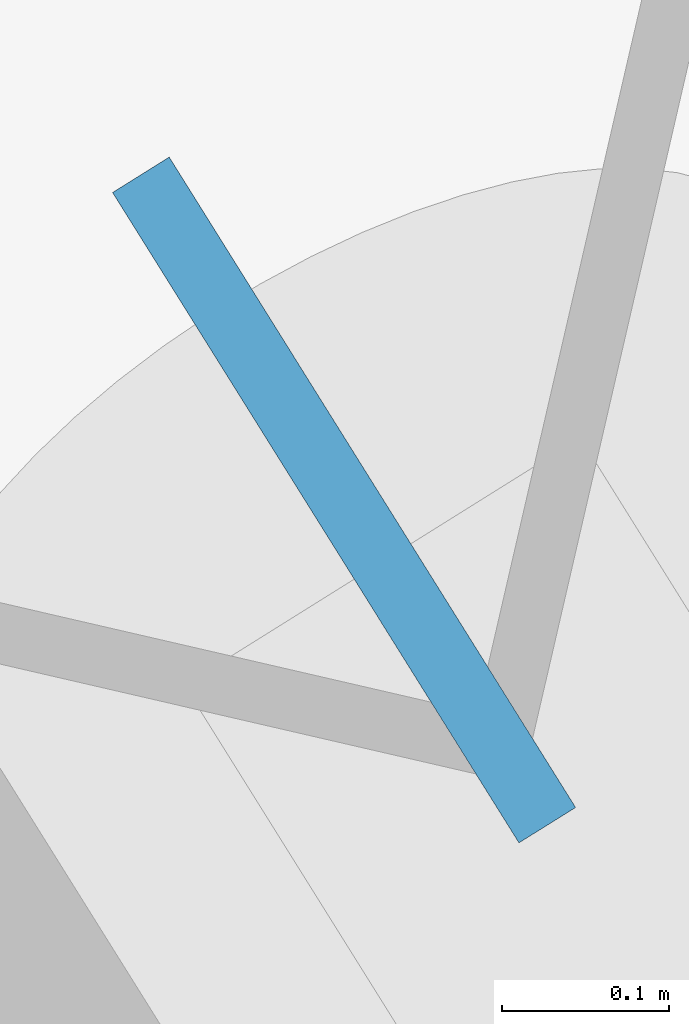
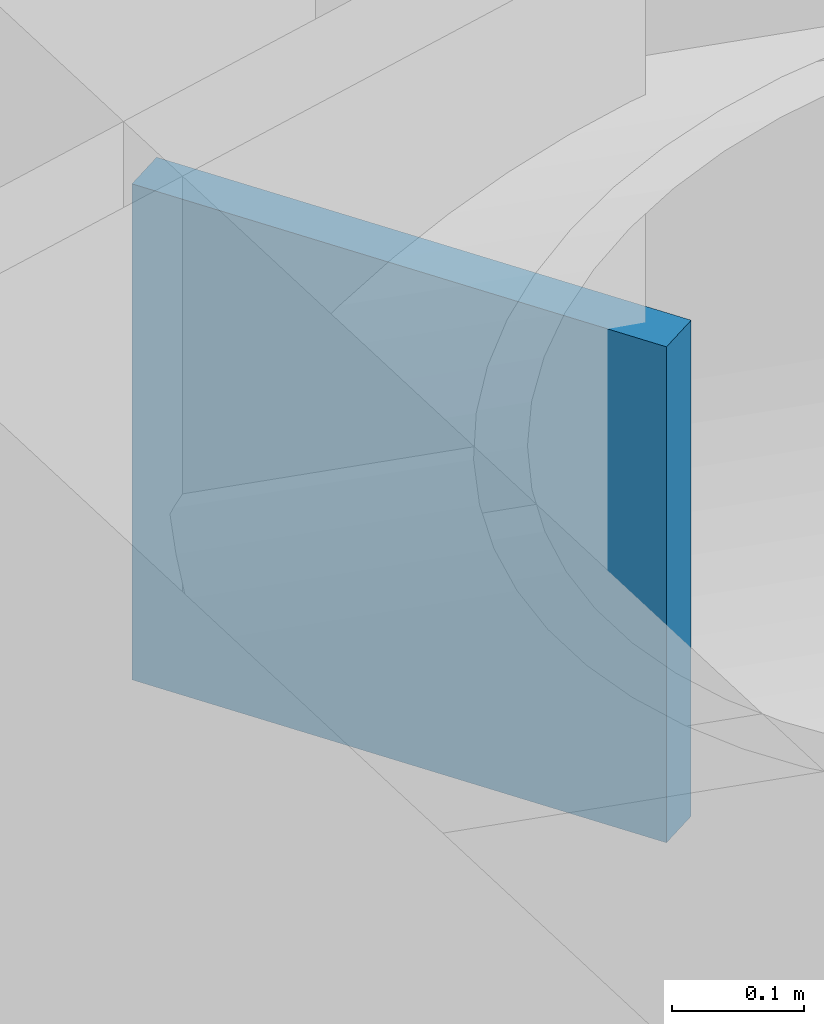
# One storey, part 18 of 20: 1 discrete accessory.
"""IFC4 building model written with IfcOpenShell, lengths in metres."""

import ifcopenshell
import ifcopenshell.guid

model = None  # the IFC model being written
_history = None  # IfcOwnerHistory: only IFC2X3 demands one
_inside = {}  # id of a spatial element -> (the spatial element, [elements in it])
_under = {}  # id of a project, library or spatial element -> (it, [spatial elements below it])
_declared = {}  # id of a project -> (the project, [libraries it declares])
_typed = {}  # id of a type object -> (the type object, [elements of that type])
_made_of = {}  # id of a material, layer set ... -> (it, [elements and type objects made of it])


def new_model(schema):
    """Start an empty IFC model of exactly this schema.

    Asked for "IFC4X3", IfcOpenShell would pick the latest addendum, in which some entities
    have other attributes; the version numbers below select the first issue.
    IFC2X3 requires an IfcOwnerHistory on every rooted entity: one is made here for all.
    """
    global model, _history
    if schema == "IFC4X3":
        model = ifcopenshell.file(schema_version=(4, 3, 0, 0))
    else:
        model = ifcopenshell.file(schema=schema)
    _inside.clear()
    _under.clear()
    _declared.clear()
    _typed.clear()
    _made_of.clear()
    _history = None
    if model.schema == "IFC2X3":
        org = make("IfcOrganization", Name="unknown")
        user = make(
            "IfcPersonAndOrganization",
            ThePerson=make("IfcPerson", FamilyName="unknown"),
            TheOrganization=org,
        )
        app = make(
            "IfcApplication",
            ApplicationDeveloper=org,
            Version="unknown",
            ApplicationFullName="unknown",
            ApplicationIdentifier="unknown",
        )
        _history = make(
            "IfcOwnerHistory",
            OwningUser=user,
            OwningApplication=app,
            ChangeAction="ADDED",
            CreationDate=0,
        )
    return model


def make(cls, **values):
    """One entity of the class cls with the attributes given. An attribute that is None is left unset."""
    return model.create_entity(
        cls, **{name: value for name, value in values.items() if value is not None}
    )


def rooted(cls, **values):
    """An entity with a GlobalId (a new one), such as an element, a storey or a relation."""
    return make(cls, GlobalId=ifcopenshell.guid.new(), OwnerHistory=_history, **values)


def si_unit(unit_type, name, prefix=None):
    """IfcSIUnit, for example si_unit("LENGTHUNIT", "METRE", prefix="MILLI")."""
    return make("IfcSIUnit", UnitType=unit_type, Prefix=prefix, Name=name)


def assignment(units):
    """IfcUnitAssignment: the units of a project."""
    return None if units is None else make("IfcUnitAssignment", Units=units)


def point(xyz):
    """IfcCartesianPoint."""
    return None if xyz is None else make("IfcCartesianPoint", Coordinates=xyz)


def direction(xyz):
    """IfcDirection."""
    return None if xyz is None else make("IfcDirection", DirectionRatios=xyz)


def frame(location, z_axis=None, x_axis=None):
    """IfcAxis2Placement3D, a coordinate frame: its origin and axes. An axis left out is left unset."""
    return make(
        "IfcAxis2Placement3D",
        Location=point(location),
        Axis=direction(z_axis),
        RefDirection=direction(x_axis),
    )


def frame_2d(location, x_axis=None):
    """IfcAxis2Placement2D, a coordinate frame in the plane: its origin and x axis."""
    return make(
        "IfcAxis2Placement2D", Location=point(location), RefDirection=direction(x_axis)
    )


def origin():
    """The frame at (0, 0, 0) with its axes left unset."""
    return frame((0.0, 0.0, 0.0))


def origin_2d():
    """The frame at (0, 0) in the plane with its x axis left unset."""
    return frame_2d((0.0, 0.0))


def place(relative_to, where):
    """IfcLocalPlacement: puts the frame where relative to a parent placement (None: the world)."""
    return make(
        "IfcLocalPlacement", PlacementRelTo=relative_to, RelativePlacement=where
    )


def context(
    kind, dimensions, precision=None, world=None, true_north=None, identifier=None
):
    """IfcGeometricRepresentationContext, for example the 3D "Model" context."""
    return make(
        "IfcGeometricRepresentationContext",
        ContextIdentifier=identifier,
        ContextType=kind,
        CoordinateSpaceDimension=dimensions,
        Precision=precision,
        WorldCoordinateSystem=world,
        TrueNorth=true_north,
    )


def subcontext(parent, identifier, kind, view, scale=None):
    """IfcGeometricRepresentationSubContext, for example "Body" below "Model"."""
    return make(
        "IfcGeometricRepresentationSubContext",
        ContextIdentifier=identifier,
        ContextType=kind,
        ParentContext=parent,
        TargetScale=scale,
        TargetView=view,
    )


def project(units=None, contexts=None):
    """IfcProject with its units and contexts."""
    return rooted(
        "IfcProject",
        Name="project",
        RepresentationContexts=contexts,
        UnitsInContext=assignment(units),
    )


def spatial(cls, under=None, at=None, **own):
    """A site, building, storey or space (cls), placed at a placement, below another one or the project."""
    s = rooted(cls, ObjectPlacement=at, **own)
    if under is not None:
        _under.setdefault(under.id(), (under, []))[1].append(s)
    return s


def profile(cls, at=None, kind="AREA", **sizes):
    """A parametric profile (cls). Its sizes go by their IFC names, for example OverallWidth=200.0."""
    return make(cls, ProfileType=kind, Position=at, **sizes)


def rectangle(**sizes):
    """IfcRectangleProfileDef."""
    return profile("IfcRectangleProfileDef", **sizes)


def extrude(swept, where, along, depth):
    """IfcExtrudedAreaSolid: the profile swept, set in the frame where, extruded along a direction by depth."""
    return make(
        "IfcExtrudedAreaSolid",
        SweptArea=swept,
        Position=where,
        ExtrudedDirection=direction(along),
        Depth=depth,
    )


def shape(context_of_items, identifier, shape_type, items):
    """IfcShapeRepresentation: the items that make up one representation, for example the "Body"."""
    return make(
        "IfcShapeRepresentation",
        ContextOfItems=context_of_items,
        RepresentationIdentifier=identifier,
        RepresentationType=shape_type,
        Items=items,
    )


def material(Name=None, Category=None):
    """IfcMaterial."""
    return make("IfcMaterial", Name=Name, Category=Category)


def made_of(thing, what):
    """Note that an element or type object is made of a material, layer set ...; save() writes the relation."""
    if what is not None:
        _made_of.setdefault(what.id(), (what, []))[1].append(thing)
    return thing


def type_object(cls, material=None, **own):
    """A type object (cls), such as IfcWallType, which elements share."""
    return made_of(rooted(cls, **own), material)


def element(
    cls,
    number,
    at=None,
    inside=None,
    cuts=None,
    type_object=None,
    material=None,
    context=None,
    identifier="Body",
    shape_type=None,
    held_by="IfcProductDefinitionShape",
    body=None,
    shapes=None,
    **own,
):
    """One element of the class cls, such as IfcWall. Its Tag is "e" and its number.

    at: its placement. inside: the storey or other place that contains it. cuts: it is an
    opening in that element (IfcRelVoidsElement). A single representation is given by context,
    identifier, shape_type and body (its items); several are given by shapes. held_by: the class
    of the entity that holds the representations. save() writes the other relations.
    """
    e = rooted(cls, Tag="e%d" % number, ObjectPlacement=at, **own)
    if body is not None:
        shapes = [shape(context, identifier, shape_type, body)]
    if shapes is not None:
        e.Representation = make(held_by, Representations=shapes)
    if inside is not None:
        _inside.setdefault(inside.id(), (inside, []))[1].append(e)
    if cuts is not None:
        rooted(
            "IfcRelVoidsElement", RelatingBuildingElement=cuts, RelatedOpeningElement=e
        )
    if type_object is not None:
        _typed.setdefault(type_object.id(), (type_object, []))[1].append(e)
    return made_of(e, material)


def aggregate(whole, parts):
    """IfcRelAggregates: a whole, such as a stair, and the parts it consists of."""
    return rooted("IfcRelAggregates", RelatingObject=whole, RelatedObjects=parts)


def save(model, path):
    """Write the relations noted so far, then the file.

    IfcRelAggregates (storeys below a building ...), IfcRelContainedInSpatialStructure (elements
    in a storey), IfcRelDefinesByType, IfcRelAssociatesMaterial and IfcRelDeclares: one each for
    every whole, place, type object, material and project.
    """
    for whole, parts in _under.values():
        aggregate(whole, parts)
    for where, things in _inside.values():
        rooted(
            "IfcRelContainedInSpatialStructure",
            RelatedElements=things,
            RelatingStructure=where,
        )
    for kind, things in _typed.values():
        rooted("IfcRelDefinesByType", RelatedObjects=things, RelatingType=kind)
    for what, things in _made_of.values():
        rooted("IfcRelAssociatesMaterial", RelatedObjects=things, RelatingMaterial=what)
    for by, libraries in _declared.values():
        rooted("IfcRelDeclares", RelatingContext=by, RelatedDefinitions=libraries)
    model.write(path)


model = new_model("IFC4")

# Units and contexts
model_context = context("Model", 3, precision=1e-05, world=origin(), true_north=direction((0.0, 1.0)))
body_context = subcontext(model_context, "Body", "Model", "MODEL_VIEW")
ifc_project = project(units=[si_unit("LENGTHUNIT", "METRE"), si_unit("AREAUNIT", "SQUARE_METRE"), si_unit("VOLUMEUNIT", "CUBIC_METRE"), si_unit("PLANEANGLEUNIT", "RADIAN"), si_unit("MASSUNIT", "GRAM", prefix="KILO")], contexts=[model_context])

# Site, building, storey
site_placement = place(None, origin())
site = spatial("IfcSite", under=ifc_project, at=site_placement, CompositionType="ELEMENT")
building_placement = place(site_placement, origin())
building = spatial("IfcBuilding", under=site, at=building_placement, Name="Tavrogorsk Clinical Tower", CompositionType="ELEMENT")
storey_placement = place(building_placement, frame((0.0, 0.0, 18.39990234375)))
storey = spatial("IfcBuildingStorey", under=building, at=storey_placement, Name="L03", CompositionType="ELEMENT", Elevation=18.39990234375)

# Discrete accessory
ifc_material = material(Name="Structural steel S440", Category="steel")
discrete_accessory_type = type_object("IfcDiscreteAccessoryType", Name="GussetPlateBracket_25", PredefinedType="BRACKET", material=ifc_material)
discrete_accessory_placement = place(storey_placement, frame((36.64453125, 14.496826171875, 0.25341796875), z_axis=(0.0, 0.0, 1.0), x_axis=(0.529919264233, -0.848048096156, 0.0)))
element("IfcDiscreteAccessory", 1, at=discrete_accessory_placement, inside=storey, type_object=discrete_accessory_type, Name="L03 Brace Gusset Plate EXOCRN-L03-2-A", PredefinedType="BRACKET", context=body_context, shape_type="SweptSolid", body=[
    extrude(rectangle(XDim=0.4599609375, YDim=0.0400390625, at=origin_2d()), origin(), (0.0, 0.0, 1.0), 0.4599609375),
])

save(model, "model.ifc")
